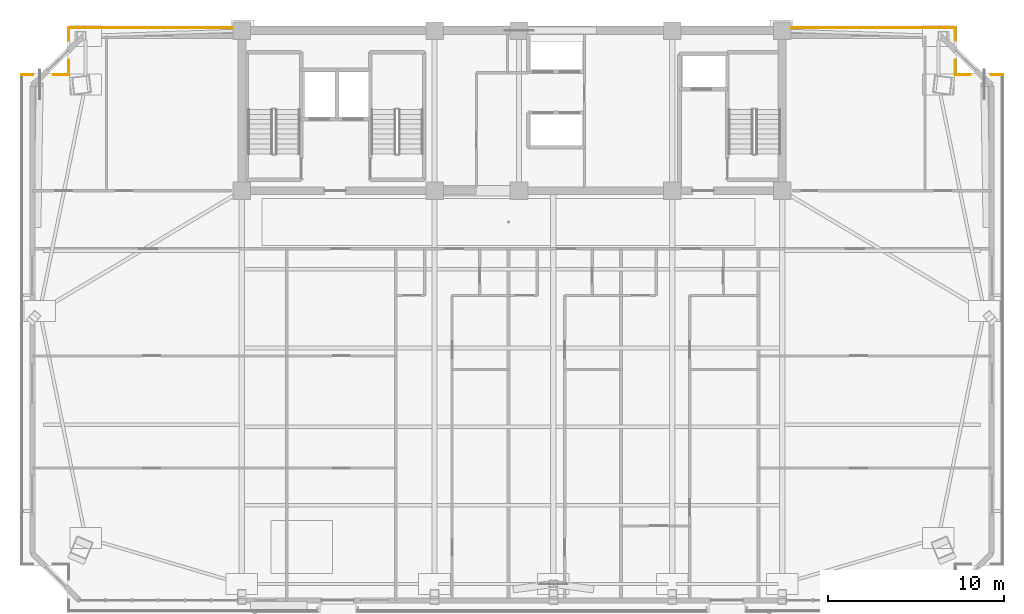
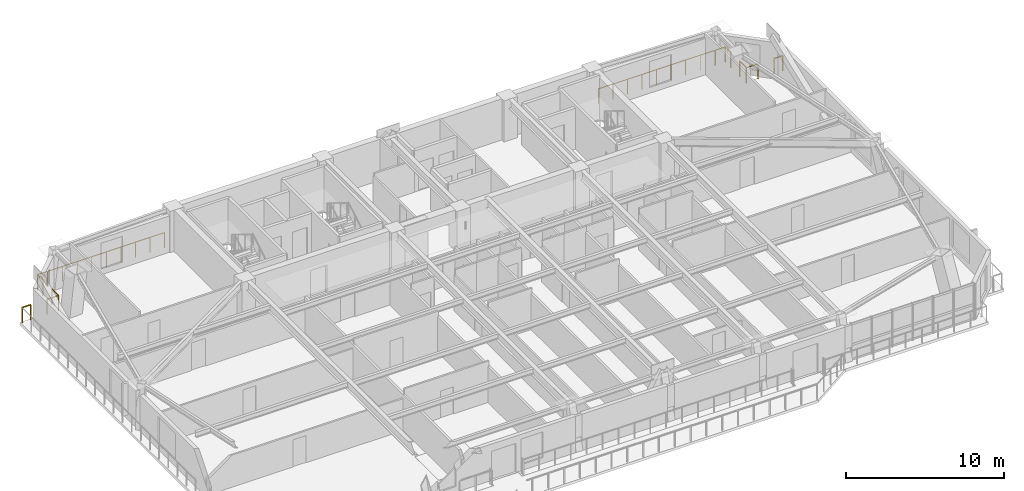
# One storey, part 18 of 18: 12 railings.
"""IFC4 building model written with IfcOpenShell, lengths in metres."""

from ifc_helpers import new_model, si_unit, direction, frame, origin, origin_2d, place, context, subcontext, project, spatial, rectangle, extrude, material, type_object, element, save


model = new_model("IFC4")

# Units and contexts
model_context = context("Model", 3, precision=1e-05, world=origin(), true_north=direction((0.0, 1.0)))
body_context = subcontext(model_context, "Body", "Model", "MODEL_VIEW")
ifc_project = project(units=[si_unit("LENGTHUNIT", "METRE"), si_unit("AREAUNIT", "SQUARE_METRE"), si_unit("VOLUMEUNIT", "CUBIC_METRE"), si_unit("PLANEANGLEUNIT", "RADIAN"), si_unit("MASSUNIT", "GRAM", prefix="KILO")], contexts=[model_context])

# Site, building, storey
site_placement = place(None, origin())
site = spatial("IfcSite", under=ifc_project, at=site_placement, CompositionType="ELEMENT")
building_placement = place(site_placement, origin())
building = spatial("IfcBuilding", under=site, at=building_placement, Name="Giltprow Tower", CompositionType="ELEMENT")
storey_placement = place(building_placement, frame((0.0, 0.0, 245.10009765625)))
storey = spatial("IfcBuildingStorey", under=building, at=storey_placement, Name="L62", CompositionType="ELEMENT", Elevation=245.10009765625)

# Railings
ifc_material = material(Name="Anodized bronze", Category="metal")
railing_type = type_object("IfcRailingType", Name="RAIL-BALC-GUARD-1200", PredefinedType="BALUSTRADE", material=ifc_material)
railing_1_placement = place(storey_placement, frame((7.347900390625, 44.0390625, 0.0)))
element("IfcRailing", 1, at=railing_1_placement, inside=storey, type_object=railing_type, Name="L62 Corner Apron Edge Balustrade 18", PredefinedType="BALUSTRADE", context=body_context, shape_type="SweptSolid", body=[
    extrude(rectangle(XDim=0.048095703125, YDim=0.048095703125, at=origin_2d()), frame((0.0, 0.0, 1.17578125), z_axis=(1.0, 0.0, 0.0), x_axis=(0.0, 1.0, 0.0)), (0.0, 0.0, 1.0), 0.631103515625),
    extrude(rectangle(XDim=0.0419921875, YDim=0.0419921875, at=origin_2d()), origin(), (0.0, 0.0, 1.0), 1.15185546875),
    extrude(rectangle(XDim=0.0419921875, YDim=0.0419921875, at=origin_2d()), frame((0.631103515625, 0.0, 0.0)), (0.0, 0.0, 1.0), 1.15185546875),
])
railing_2_placement = place(storey_placement, frame((9.159912109375, 44.0390625, 0.0)))
element("IfcRailing", 2, at=railing_2_placement, inside=storey, type_object=railing_type, Name="L62 Corner Apron Edge Balustrade 19", PredefinedType="BALUSTRADE", context=body_context, shape_type="SweptSolid", body=[
    extrude(rectangle(XDim=0.048095703125, YDim=0.048095703125, at=origin_2d()), frame((0.0, 0.0, 1.17578125), z_axis=(1.0, 0.0, 0.0), x_axis=(0.0, 1.0, 0.0)), (0.0, 0.0, 1.0), 0.84912109375),
    extrude(rectangle(XDim=0.0419921875, YDim=0.0419921875, at=origin_2d()), origin(), (0.0, 0.0, 1.0), 1.15185546875),
    extrude(rectangle(XDim=0.0419921875, YDim=0.0419921875, at=origin_2d()), frame((0.84912109375, 0.0, 0.0)), (0.0, 0.0, 1.0), 1.15185546875),
])
railing_3_placement = place(storey_placement, frame((10.009033203125, 44.0390625, 0.0)))
element("IfcRailing", 3, at=railing_3_placement, inside=storey, type_object=railing_type, Name="L62 Corner Apron Edge Balustrade 20", PredefinedType="BALUSTRADE", context=body_context, shape_type="SweptSolid", body=[
    extrude(rectangle(XDim=0.048095703125, YDim=0.048095703125, at=origin_2d()), frame((0.0, 0.0, 1.17578125), z_axis=(0.0, 1.0, 0.0), x_axis=(-1.0, 0.0, 0.0)), (0.0, 0.0, 1.0), 0.81982421875),
    extrude(rectangle(XDim=0.0419921875, YDim=0.0419921875, at=origin_2d()), origin(), (0.0, 0.0, 1.0), 1.15185546875),
    extrude(rectangle(XDim=0.0419921875, YDim=0.0419921875, at=origin_2d()), frame((0.0, 0.81982421875, 0.0)), (0.0, 0.0, 1.0), 1.15185546875),
])
railing_4_placement = place(storey_placement, frame((10.009033203125, 45.9990234375, 0.0)))
element("IfcRailing", 4, at=railing_4_placement, inside=storey, type_object=railing_type, Name="L62 Corner Apron Edge Balustrade 21", PredefinedType="BALUSTRADE", context=body_context, shape_type="SweptSolid", body=[
    extrude(rectangle(XDim=0.048095703125, YDim=0.048095703125, at=origin_2d()), frame((0.0, 0.0, 1.17578125), z_axis=(0.0, 1.0, 0.0), x_axis=(-1.0, 0.0, 0.0)), (0.0, 0.0, 1.0), 0.700927734375),
    extrude(rectangle(XDim=0.0419921875, YDim=0.0419921875, at=origin_2d()), origin(), (0.0, 0.0, 1.0), 1.15185546875),
    extrude(rectangle(XDim=0.0419921875, YDim=0.0419921875, at=origin_2d()), frame((0.0, 0.700927734375, 0.0)), (0.0, 0.0, 1.0), 1.15185546875),
])
railing_5_placement = place(storey_placement, frame((10.009033203125, 46.699951171875, 0.0)))
element("IfcRailing", 5, at=railing_5_placement, inside=storey, type_object=railing_type, Name="L62 Corner Apron Edge Balustrade 22", PredefinedType="BALUSTRADE", context=body_context, shape_type="SweptSolid", body=[
    extrude(rectangle(XDim=0.048095703125, YDim=0.048095703125, at=origin_2d()), frame((0.0, 0.0, 1.17578125), z_axis=(1.0, 0.0, 0.0), x_axis=(0.0, 1.0, 0.0)), (0.0, 0.0, 1.0), 0.72607421875),
    extrude(rectangle(XDim=0.0419921875, YDim=0.0419921875, at=origin_2d()), origin(), (0.0, 0.0, 1.0), 1.15185546875),
    extrude(rectangle(XDim=0.0419921875, YDim=0.0419921875, at=origin_2d()), frame((0.72607421875, 0.0, 0.0)), (0.0, 0.0, 1.0), 1.15185546875),
])
for number, where, name in (
    (6, (10.785888671875, 46.699951171875, 0.0), "L62 Corner Apron Edge Balustrade 23"),
    (7, (51.0849609375, 46.699951171875, 0.0), "L62 Corner Apron Edge Balustrade 24"),
):
    element("IfcRailing", number, at=place(storey_placement, frame(where)), inside=storey, type_object=railing_type, Name=name, PredefinedType="BALUSTRADE", context=body_context, shape_type="SweptSolid", body=[
        extrude(rectangle(XDim=0.048095703125, YDim=0.048095703125, at=origin_2d()), frame((0.0, 0.0, 1.17578125), z_axis=(1.0, 0.0, 0.0), x_axis=(0.0, 1.0, 0.0)), (0.0, 0.0, 1.0), 8.529052734375),
        extrude(rectangle(XDim=0.0419921875, YDim=0.0419921875, at=origin_2d()), origin(), (0.0, 0.0, 1.0), 1.15185546875),
        extrude(rectangle(XDim=0.0419921875, YDim=0.0419921875, at=origin_2d()), frame((1.066162109375, 0.0, 0.0)), (0.0, 0.0, 1.0), 1.15185546875),
        extrude(rectangle(XDim=0.0419921875, YDim=0.0419921875, at=origin_2d()), frame((2.13232421875, 0.0, 0.0)), (0.0, 0.0, 1.0), 1.15185546875),
        extrude(rectangle(XDim=0.0419921875, YDim=0.0419921875, at=origin_2d()), frame((3.198486328125, 0.0, 0.0)), (0.0, 0.0, 1.0), 1.15185546875),
        extrude(rectangle(XDim=0.0419921875, YDim=0.0419921875, at=origin_2d()), frame((4.2646484375, 0.0, 0.0)), (0.0, 0.0, 1.0), 1.15185546875),
        extrude(rectangle(XDim=0.0419921875, YDim=0.0419921875, at=origin_2d()), frame((5.33056640625, 0.0, 0.0)), (0.0, 0.0, 1.0), 1.15185546875),
        extrude(rectangle(XDim=0.0419921875, YDim=0.0419921875, at=origin_2d()), frame((6.396728515625, 0.0, 0.0)), (0.0, 0.0, 1.0), 1.15185546875),
        extrude(rectangle(XDim=0.0419921875, YDim=0.0419921875, at=origin_2d()), frame((7.462890625, 0.0, 0.0)), (0.0, 0.0, 1.0), 1.15185546875),
        extrude(rectangle(XDim=0.0419921875, YDim=0.0419921875, at=origin_2d()), frame((8.529052734375, 0.0, 0.0)), (0.0, 0.0, 1.0), 1.15185546875),
    ])
railing_6_placement = place(storey_placement, frame((59.6650390625, 46.699951171875, 0.0)))
element("IfcRailing", 8, at=railing_6_placement, inside=storey, type_object=railing_type, Name="L62 Corner Apron Edge Balustrade 25", PredefinedType="BALUSTRADE", context=body_context, shape_type="SweptSolid", body=[
    extrude(rectangle(XDim=0.048095703125, YDim=0.048095703125, at=origin_2d()), frame((0.0, 0.0, 1.17578125), z_axis=(1.0, 0.0, 0.0), x_axis=(0.0, 1.0, 0.0)), (0.0, 0.0, 1.0), 0.72607421875),
    extrude(rectangle(XDim=0.0419921875, YDim=0.0419921875, at=origin_2d()), origin(), (0.0, 0.0, 1.0), 1.15185546875),
    extrude(rectangle(XDim=0.0419921875, YDim=0.0419921875, at=origin_2d()), frame((0.72607421875, 0.0, 0.0)), (0.0, 0.0, 1.0), 1.15185546875),
])
railing_7_placement = place(storey_placement, frame((60.39111328125, 46.699951171875, 0.0)))
element("IfcRailing", 9, at=railing_7_placement, inside=storey, type_object=railing_type, Name="L62 Corner Apron Edge Balustrade 26", PredefinedType="BALUSTRADE", context=body_context, shape_type="SweptSolid", body=[
    extrude(rectangle(XDim=0.048095703125, YDim=0.048095703125, at=origin_2d()), frame((0.0, 0.0, 1.17578125), z_axis=(0.0, -1.0, 0.0), x_axis=(1.0, 0.0, 0.0)), (0.0, 0.0, 1.0), 0.700927734375),
    extrude(rectangle(XDim=0.0419921875, YDim=0.0419921875, at=origin_2d()), origin(), (0.0, 0.0, 1.0), 1.15185546875),
    extrude(rectangle(XDim=0.0419921875, YDim=0.0419921875, at=origin_2d()), frame((0.0, -0.700927734375, 0.0)), (0.0, 0.0, 1.0), 1.15185546875),
])
railing_8_placement = place(storey_placement, frame((60.39111328125, 44.85888671875, 0.0)))
element("IfcRailing", 10, at=railing_8_placement, inside=storey, type_object=railing_type, Name="L62 Corner Apron Edge Balustrade 27", PredefinedType="BALUSTRADE", context=body_context, shape_type="SweptSolid", body=[
    extrude(rectangle(XDim=0.048095703125, YDim=0.048095703125, at=origin_2d()), frame((0.0, 0.0, 1.17578125), z_axis=(0.0, -1.0, 0.0), x_axis=(1.0, 0.0, 0.0)), (0.0, 0.0, 1.0), 0.81982421875),
    extrude(rectangle(XDim=0.0419921875, YDim=0.0419921875, at=origin_2d()), origin(), (0.0, 0.0, 1.0), 1.15185546875),
    extrude(rectangle(XDim=0.0419921875, YDim=0.0419921875, at=origin_2d()), frame((0.0, -0.81982421875, 0.0)), (0.0, 0.0, 1.0), 1.15185546875),
])
railing_9_placement = place(storey_placement, frame((60.39111328125, 44.0390625, 0.0)))
element("IfcRailing", 11, at=railing_9_placement, inside=storey, type_object=railing_type, Name="L62 Corner Apron Edge Balustrade 28", PredefinedType="BALUSTRADE", context=body_context, shape_type="SweptSolid", body=[
    extrude(rectangle(XDim=0.048095703125, YDim=0.048095703125, at=origin_2d()), frame((0.0, 0.0, 1.17578125), z_axis=(1.0, 0.0, 0.0), x_axis=(0.0, 1.0, 0.0)), (0.0, 0.0, 1.0), 0.848876953125),
    extrude(rectangle(XDim=0.0419921875, YDim=0.0419921875, at=origin_2d()), origin(), (0.0, 0.0, 1.0), 1.15185546875),
    extrude(rectangle(XDim=0.0419921875, YDim=0.0419921875, at=origin_2d()), frame((0.848876953125, 0.0, 0.0)), (0.0, 0.0, 1.0), 1.15185546875),
])
railing_10_placement = place(storey_placement, frame((62.4208984375, 44.0390625, 0.0)))
element("IfcRailing", 12, at=railing_10_placement, inside=storey, type_object=railing_type, Name="L62 Corner Apron Edge Balustrade 29", PredefinedType="BALUSTRADE", context=body_context, shape_type="SweptSolid", body=[
    extrude(rectangle(XDim=0.048095703125, YDim=0.048095703125, at=origin_2d()), frame((0.0, 0.0, 1.17578125), z_axis=(1.0, 0.0, 0.0), x_axis=(0.0, 1.0, 0.0)), (0.0, 0.0, 1.0), 0.631103515625),
    extrude(rectangle(XDim=0.0419921875, YDim=0.0419921875, at=origin_2d()), origin(), (0.0, 0.0, 1.0), 1.15185546875),
    extrude(rectangle(XDim=0.0419921875, YDim=0.0419921875, at=origin_2d()), frame((0.631103515625, 0.0, 0.0)), (0.0, 0.0, 1.0), 1.15185546875),
])

save(model, "model.ifc")
